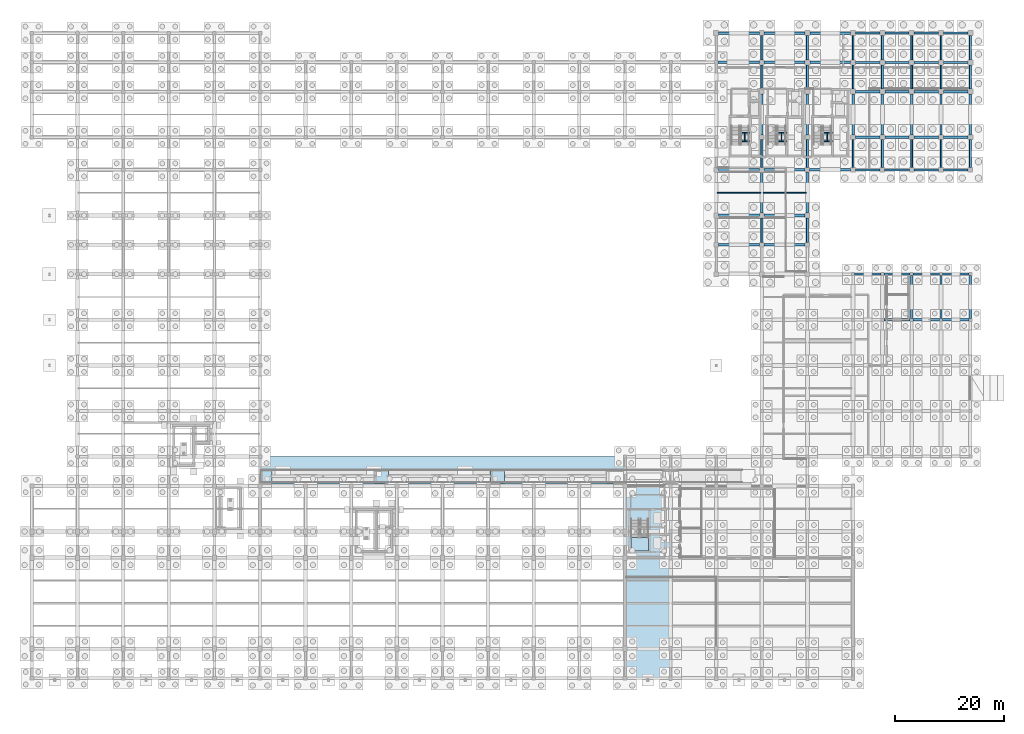
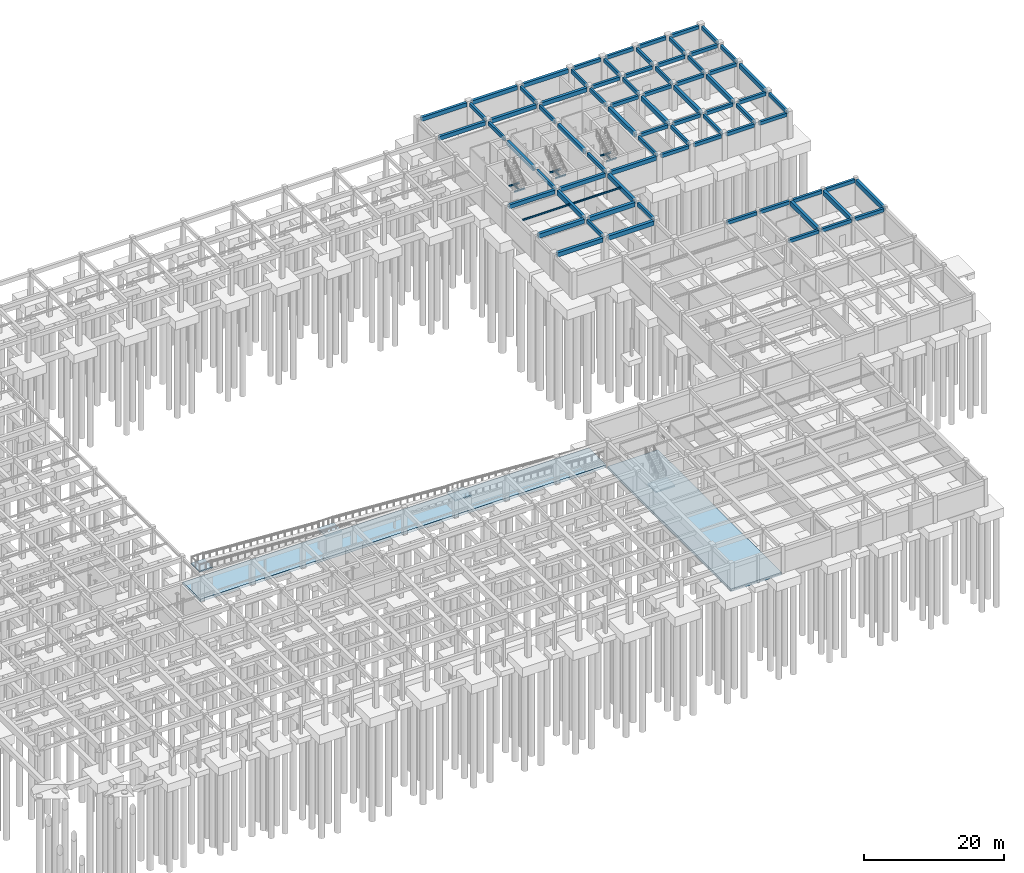
# One storey, part 31 of 49: 86 beams, 6 slabs, 1 element without a shape of its own.
"""IFC4 building model written with IfcOpenShell, lengths in metres."""

from ifc_helpers import new_model, si_unit, direction, frame, origin, origin_2d, place, context, subcontext, project, spatial, polyline, rectangle, i_section, outline, extrude, material, layer, layer_set, material_profile, profile_set, type_object, element, aggregate, save


model = new_model("IFC4")

# Units and contexts
model_context = context("Model", 3, precision=1e-05, world=origin(), true_north=direction((0.0, 1.0)))
body_context = subcontext(model_context, "Body", "Model", "MODEL_VIEW")
ifc_project = project(units=[si_unit("LENGTHUNIT", "METRE"), si_unit("AREAUNIT", "SQUARE_METRE"), si_unit("VOLUMEUNIT", "CUBIC_METRE"), si_unit("PLANEANGLEUNIT", "RADIAN"), si_unit("MASSUNIT", "GRAM", prefix="KILO")], contexts=[model_context])

# Site, building, storey
site_placement = place(None, origin())
site = spatial("IfcSite", under=ifc_project, at=site_placement, CompositionType="ELEMENT")
building_placement = place(site_placement, origin())
building = spatial("IfcBuilding", under=site, at=building_placement, Name="Krzemoval Escarpment Law Courts", CompositionType="ELEMENT")
storey_placement = place(building_placement, frame((0.0, 0.0, -4.800048828125)))
storey = spatial("IfcBuildingStorey", under=building, at=storey_placement, Name="B1", CompositionType="ELEMENT", Elevation=-4.800048828125)

# Beams
ifc_material_1 = material(Name="Concrete C40/50", Category="concrete")
ifc_material_profile_1 = material_profile(ifc_material_1, rectangle(XDim=0.35009765625, YDim=0.64990234375, at=origin_2d()), Name="RCB 350x650")
ifc_profile_set_1 = profile_set([ifc_material_profile_1], Name="Concrete C40/50")
beam_type_1 = type_object("IfcBeamType", Name="BM-RC-350x650", PredefinedType="BEAM", material=ifc_profile_set_1)
beam_1_placement = place(storey_placement, frame((134.39990234375, 80.22509765625, 4.175048828125), z_axis=(0.0, 1.0, 0.0), x_axis=(-1.0, 0.0, 0.0)))
element("IfcBeam", 1, at=beam_1_placement, inside=storey, type_object=beam_type_1, Name="Beam FG-B1-0404", PredefinedType="BEAM", context=body_context, shape_type="SweptSolid", body=[
    extrude(rectangle(XDim=0.35009765625, YDim=0.64990234375, at=origin_2d()), origin(), (0.0, 0.0, 1.0), 4.5498046875),
])
beam_2_placement = place(storey_placement, frame((134.39990234375, 94.02490234375, 4.175048828125), z_axis=(0.0, 1.0, 0.0), x_axis=(-1.0, 0.0, 0.0)))
element("IfcBeam", 2, at=beam_2_placement, inside=storey, type_object=beam_type_1, Name="Beam FG-B1-0406", PredefinedType="BEAM", context=body_context, shape_type="SweptSolid", body=[
    extrude(rectangle(XDim=0.35009765625, YDim=0.64990234375, at=origin_2d()), origin(), (0.0, 0.0, 1.0), 5.125),
])
for number, where, z_axis, x_axis, name in (
    (3, (134.39990234375, 108.449951171875, 4.175048828125), (0.0, 1.0, 0.0), (-1.0, 0.0, 0.0), "Beam FG-B1-0408"),
    (4, (134.39990234375, 113.85009765625, 4.175048828125), (0.0, 1.0, 0.0), (-1.0, 0.0, 0.0), "Beam FG-B1-0409"),
):
    element("IfcBeam", number, at=place(storey_placement, frame(where, z_axis=z_axis, x_axis=x_axis)), inside=storey, type_object=beam_type_1, Name=name, PredefinedType="BEAM", context=body_context, shape_type="SweptSolid", body=[
        extrude(rectangle(XDim=0.35009765625, YDim=0.64990234375, at=origin_2d()), origin(), (0.0, 0.0, 1.0), 4.5),
    ])
beam_3_placement = place(storey_placement, frame((142.800048828125, 80.22509765625, 4.175048828125), z_axis=(0.0, 1.0, 0.0), x_axis=(-1.0, 0.0, 0.0)))
element("IfcBeam", 5, at=beam_3_placement, inside=storey, type_object=beam_type_1, Name="Beam FG-B1-0420", PredefinedType="BEAM", context=body_context, shape_type="SweptSolid", body=[
    extrude(rectangle(XDim=0.35009765625, YDim=0.64990234375, at=origin_2d()), origin(), (0.0, 0.0, 1.0), 4.5498046875),
])
beam_4_placement = place(storey_placement, frame((142.800048828125, 94.02490234375, 4.175048828125), z_axis=(0.0, 1.0, 0.0), x_axis=(-1.0, 0.0, 0.0)))
element("IfcBeam", 6, at=beam_4_placement, inside=storey, type_object=beam_type_1, Name="Beam FG-B1-0422", PredefinedType="BEAM", context=body_context, shape_type="SweptSolid", body=[
    extrude(rectangle(XDim=0.35009765625, YDim=0.64990234375, at=origin_2d()), origin(), (0.0, 0.0, 1.0), 5.125),
])
for number, where, z_axis, x_axis, name in (
    (7, (142.800048828125, 108.449951171875, 4.175048828125), (0.0, 1.0, 0.0), (-1.0, 0.0, 0.0), "Beam FG-B1-0424"),
    (8, (142.800048828125, 113.85009765625, 4.175048828125), (0.0, 1.0, 0.0), (-1.0, 0.0, 0.0), "Beam FG-B1-0425"),
):
    element("IfcBeam", number, at=place(storey_placement, frame(where, z_axis=z_axis, x_axis=x_axis)), inside=storey, type_object=beam_type_1, Name=name, PredefinedType="BEAM", context=body_context, shape_type="SweptSolid", body=[
        extrude(rectangle(XDim=0.35009765625, YDim=0.64990234375, at=origin_2d()), origin(), (0.0, 0.0, 1.0), 4.5),
    ])
beam_5_placement = place(storey_placement, frame((151.199951171875, 94.02490234375, 4.175048828125), z_axis=(0.0, 1.0, 0.0), x_axis=(-1.0, 0.0, 0.0)))
element("IfcBeam", 9, at=beam_5_placement, inside=storey, type_object=beam_type_1, Name="Beam FG-B1-0434", PredefinedType="BEAM", context=body_context, shape_type="SweptSolid", body=[
    extrude(rectangle(XDim=0.35009765625, YDim=0.64990234375, at=origin_2d()), origin(), (0.0, 0.0, 1.0), 5.125),
])
for number, where, z_axis, x_axis, name in (
    (10, (151.199951171875, 108.449951171875, 4.175048828125), (0.0, 1.0, 0.0), (-1.0, 0.0, 0.0), "Beam FG-B1-0436"),
    (11, (151.199951171875, 113.85009765625, 4.175048828125), (0.0, 1.0, 0.0), (-1.0, 0.0, 0.0), "Beam FG-B1-0437"),
):
    element("IfcBeam", number, at=place(storey_placement, frame(where, z_axis=z_axis, x_axis=x_axis)), inside=storey, type_object=beam_type_1, Name=name, PredefinedType="BEAM", context=body_context, shape_type="SweptSolid", body=[
        extrude(rectangle(XDim=0.35009765625, YDim=0.64990234375, at=origin_2d()), origin(), (0.0, 0.0, 1.0), 4.5),
    ])
beam_6_placement = place(storey_placement, frame((156.60009765625, 94.02490234375, 4.175048828125), z_axis=(0.0, 1.0, 0.0), x_axis=(-1.0, 0.0, 0.0)))
element("IfcBeam", 12, at=beam_6_placement, inside=storey, type_object=beam_type_1, Name="Beam FG-B1-0442", PredefinedType="BEAM", context=body_context, shape_type="SweptSolid", body=[
    extrude(rectangle(XDim=0.35009765625, YDim=0.64990234375, at=origin_2d()), origin(), (0.0, 0.0, 1.0), 5.125),
])
for number, where, z_axis, x_axis, name in (
    (13, (156.60009765625, 108.449951171875, 4.175048828125), (0.0, 1.0, 0.0), (-1.0, 0.0, 0.0), "Beam FG-B1-0444"),
    (14, (156.60009765625, 113.85009765625, 4.175048828125), (0.0, 1.0, 0.0), (-1.0, 0.0, 0.0), "Beam FG-B1-0445"),
):
    element("IfcBeam", number, at=place(storey_placement, frame(where, z_axis=z_axis, x_axis=x_axis)), inside=storey, type_object=beam_type_1, Name=name, PredefinedType="BEAM", context=body_context, shape_type="SweptSolid", body=[
        extrude(rectangle(XDim=0.35009765625, YDim=0.64990234375, at=origin_2d()), origin(), (0.0, 0.0, 1.0), 4.5),
    ])
beam_7_placement = place(storey_placement, frame((162.0, 94.02490234375, 4.175048828125), z_axis=(0.0, 1.0, 0.0), x_axis=(-1.0, 0.0, 0.0)))
element("IfcBeam", 15, at=beam_7_placement, inside=storey, type_object=beam_type_1, Name="Beam FG-B1-0450", PredefinedType="BEAM", context=body_context, shape_type="SweptSolid", body=[
    extrude(rectangle(XDim=0.35009765625, YDim=0.64990234375, at=origin_2d()), origin(), (0.0, 0.0, 1.0), 5.125),
])
for number, where, z_axis, x_axis, name in (
    (16, (162.0, 108.449951171875, 4.175048828125), (0.0, 1.0, 0.0), (-1.0, 0.0, 0.0), "Beam FG-B1-0452"),
    (17, (162.0, 113.85009765625, 4.175048828125), (0.0, 1.0, 0.0), (-1.0, 0.0, 0.0), "Beam FG-B1-0453"),
):
    element("IfcBeam", number, at=place(storey_placement, frame(where, z_axis=z_axis, x_axis=x_axis)), inside=storey, type_object=beam_type_1, Name=name, PredefinedType="BEAM", context=body_context, shape_type="SweptSolid", body=[
        extrude(rectangle(XDim=0.35009765625, YDim=0.64990234375, at=origin_2d()), origin(), (0.0, 0.0, 1.0), 4.5),
    ])
beam_8_placement = place(storey_placement, frame((167.39990234375, 94.02490234375, 4.175048828125), z_axis=(0.0, 1.0, 0.0), x_axis=(-1.0, 0.0, 0.0)))
element("IfcBeam", 18, at=beam_8_placement, inside=storey, type_object=beam_type_1, Name="Beam FG-B1-0458", PredefinedType="BEAM", context=body_context, shape_type="SweptSolid", body=[
    extrude(rectangle(XDim=0.35009765625, YDim=0.64990234375, at=origin_2d()), origin(), (0.0, 0.0, 1.0), 5.125),
])
for number, where, z_axis, x_axis, name in (
    (19, (167.39990234375, 108.449951171875, 4.175048828125), (0.0, 1.0, 0.0), (-1.0, 0.0, 0.0), "Beam FG-B1-0460"),
    (20, (167.39990234375, 113.85009765625, 4.175048828125), (0.0, 1.0, 0.0), (-1.0, 0.0, 0.0), "Beam FG-B1-0461"),
):
    element("IfcBeam", number, at=place(storey_placement, frame(where, z_axis=z_axis, x_axis=x_axis)), inside=storey, type_object=beam_type_1, Name=name, PredefinedType="BEAM", context=body_context, shape_type="SweptSolid", body=[
        extrude(rectangle(XDim=0.35009765625, YDim=0.64990234375, at=origin_2d()), origin(), (0.0, 0.0, 1.0), 4.5),
    ])
beam_9_placement = place(storey_placement, frame((172.800048828125, 94.02490234375, 4.175048828125), z_axis=(0.0, 1.0, 0.0), x_axis=(-1.0, 0.0, 0.0)))
element("IfcBeam", 21, at=beam_9_placement, inside=storey, type_object=beam_type_1, Name="Beam FG-B1-0466", PredefinedType="BEAM", context=body_context, shape_type="SweptSolid", body=[
    extrude(rectangle(XDim=0.35009765625, YDim=0.64990234375, at=origin_2d()), origin(), (0.0, 0.0, 1.0), 5.125),
])
for number, where, z_axis, x_axis, name in (
    (22, (172.800048828125, 108.449951171875, 4.175048828125), (0.0, 1.0, 0.0), (-1.0, 0.0, 0.0), "Beam FG-B1-0468"),
    (23, (172.800048828125, 113.85009765625, 4.175048828125), (0.0, 1.0, 0.0), (-1.0, 0.0, 0.0), "Beam FG-B1-0469"),
):
    element("IfcBeam", number, at=place(storey_placement, frame(where, z_axis=z_axis, x_axis=x_axis)), inside=storey, type_object=beam_type_1, Name=name, PredefinedType="BEAM", context=body_context, shape_type="SweptSolid", body=[
        extrude(rectangle(XDim=0.35009765625, YDim=0.64990234375, at=origin_2d()), origin(), (0.0, 0.0, 1.0), 4.5),
    ])
ifc_material_2 = material(Name="Concrete C40/50", Category="concrete")
ifc_material_profile_2 = material_profile(ifc_material_2, rectangle(XDim=0.39990234375, YDim=0.60009765625, at=origin_2d()), Name="RCB 400x600")
ifc_profile_set_2 = profile_set([ifc_material_profile_2], Name="Concrete C40/50")
beam_type_2 = type_object("IfcBeamType", Name="BM-RC-400x600", PredefinedType="BEAM", material=ifc_profile_set_2)
for number, where, z_axis, x_axis, name in (
    (24, (156.875, 66.0, 4.199951171875), (1.0, 0.0, 0.0), (0.0, 1.0, 0.0), "Beam FG-B1-0130"),
    (25, (162.27490234375, 66.0, 4.199951171875), (1.0, 0.0, 0.0), (0.0, 1.0, 0.0), "Beam FG-B1-0131"),
):
    element("IfcBeam", number, at=place(storey_placement, frame(where, z_axis=z_axis, x_axis=x_axis)), inside=storey, type_object=beam_type_2, Name=name, PredefinedType="BEAM", context=body_context, shape_type="SweptSolid", body=[
        extrude(rectangle(XDim=0.39990234375, YDim=0.60009765625, at=origin_2d()), origin(), (0.0, 0.0, 1.0), 4.85009765625),
    ])
for number, where, z_axis, x_axis, name in (
    (26, (167.675048828125, 66.0, 4.199951171875), (1.0, 0.0, 0.0), (0.0, 1.0, 0.0), "Beam FG-B1-0132"),
    (27, (151.47509765625, 74.39990234375, 4.199951171875), (1.0, 0.0, 0.0), (0.0, 1.0, 0.0), "Beam FG-B1-0140"),
):
    element("IfcBeam", number, at=place(storey_placement, frame(where, z_axis=z_axis, x_axis=x_axis)), inside=storey, type_object=beam_type_2, Name=name, PredefinedType="BEAM", context=body_context, shape_type="SweptSolid", body=[
        extrude(rectangle(XDim=0.39990234375, YDim=0.60009765625, at=origin_2d()), origin(), (0.0, 0.0, 1.0), 4.849853515625),
    ])
for number, where, z_axis, x_axis, name in (
    (28, (156.875, 74.39990234375, 4.199951171875), (1.0, 0.0, 0.0), (0.0, 1.0, 0.0), "Beam FG-B1-0141"),
    (29, (162.27490234375, 74.39990234375, 4.199951171875), (1.0, 0.0, 0.0), (0.0, 1.0, 0.0), "Beam FG-B1-0142"),
):
    element("IfcBeam", number, at=place(storey_placement, frame(where, z_axis=z_axis, x_axis=x_axis)), inside=storey, type_object=beam_type_2, Name=name, PredefinedType="BEAM", context=body_context, shape_type="SweptSolid", body=[
        extrude(rectangle(XDim=0.39990234375, YDim=0.60009765625, at=origin_2d()), origin(), (0.0, 0.0, 1.0), 4.85009765625),
    ])
beam_10_placement = place(storey_placement, frame((167.675048828125, 74.39990234375, 4.199951171875), z_axis=(1.0, 0.0, 0.0), x_axis=(0.0, 1.0, 0.0)))
element("IfcBeam", 30, at=beam_10_placement, inside=storey, type_object=beam_type_2, Name="Beam FG-B1-0143", PredefinedType="BEAM", context=body_context, shape_type="SweptSolid", body=[
    extrude(rectangle(XDim=0.39990234375, YDim=0.60009765625, at=origin_2d()), origin(), (0.0, 0.0, 1.0), 4.849853515625),
])
for number, where, z_axis, x_axis, name in (
    (31, (151.625, 93.60009765625, 4.199951171875), (1.0, 0.0, 0.0), (0.0, 1.0, 0.0), "Beam FG-B1-0163"),
    (32, (157.02490234375, 93.60009765625, 4.199951171875), (1.0, 0.0, 0.0), (0.0, 1.0, 0.0), "Beam FG-B1-0164"),
    (33, (162.425048828125, 93.60009765625, 4.199951171875), (1.0, 0.0, 0.0), (0.0, 1.0, 0.0), "Beam FG-B1-0165"),
    (34, (167.824951171875, 93.60009765625, 4.199951171875), (1.0, 0.0, 0.0), (0.0, 1.0, 0.0), "Beam FG-B1-0166"),
):
    element("IfcBeam", number, at=place(storey_placement, frame(where, z_axis=z_axis, x_axis=x_axis)), inside=storey, type_object=beam_type_2, Name=name, PredefinedType="BEAM", context=body_context, shape_type="SweptSolid", body=[
        extrude(rectangle(XDim=0.39990234375, YDim=0.60009765625, at=origin_2d()), origin(), (0.0, 0.0, 1.0), 4.550048828125),
    ])
for number, where, z_axis, x_axis, name in (
    (35, (151.64990234375, 99.60009765625, 4.199951171875), (1.0, 0.0, 0.0), (0.0, 1.0, 0.0), "Beam FG-B1-0182"),
    (36, (157.050048828125, 99.60009765625, 4.199951171875), (1.0, 0.0, 0.0), (0.0, 1.0, 0.0), "Beam FG-B1-0183"),
    (37, (162.449951171875, 99.60009765625, 4.199951171875), (1.0, 0.0, 0.0), (0.0, 1.0, 0.0), "Beam FG-B1-0184"),
    (38, (167.85009765625, 99.60009765625, 4.199951171875), (1.0, 0.0, 0.0), (0.0, 1.0, 0.0), "Beam FG-B1-0185"),
    (39, (151.64990234375, 108.0, 4.199951171875), (1.0, 0.0, 0.0), (0.0, 1.0, 0.0), "Beam FG-B1-0201"),
    (40, (157.050048828125, 108.0, 4.199951171875), (1.0, 0.0, 0.0), (0.0, 1.0, 0.0), "Beam FG-B1-0202"),
    (41, (162.449951171875, 108.0, 4.199951171875), (1.0, 0.0, 0.0), (0.0, 1.0, 0.0), "Beam FG-B1-0203"),
    (42, (167.85009765625, 108.0, 4.199951171875), (1.0, 0.0, 0.0), (0.0, 1.0, 0.0), "Beam FG-B1-0204"),
    (43, (151.64990234375, 113.39990234375, 4.199951171875), (1.0, 0.0, 0.0), (0.0, 1.0, 0.0), "Beam FG-B1-0223"),
    (44, (157.050048828125, 113.39990234375, 4.199951171875), (1.0, 0.0, 0.0), (0.0, 1.0, 0.0), "Beam FG-B1-0224"),
    (45, (162.449951171875, 113.39990234375, 4.199951171875), (1.0, 0.0, 0.0), (0.0, 1.0, 0.0), "Beam FG-B1-0225"),
    (46, (167.85009765625, 113.39990234375, 4.199951171875), (1.0, 0.0, 0.0), (0.0, 1.0, 0.0), "Beam FG-B1-0226"),
    (47, (151.64990234375, 118.800048828125, 4.199951171875), (1.0, 0.0, 0.0), (0.0, 1.0, 0.0), "Beam FG-B1-0235"),
    (48, (157.050048828125, 118.800048828125, 4.199951171875), (1.0, 0.0, 0.0), (0.0, 1.0, 0.0), "Beam FG-B1-0236"),
    (49, (162.449951171875, 118.800048828125, 4.199951171875), (1.0, 0.0, 0.0), (0.0, 1.0, 0.0), "Beam FG-B1-0237"),
    (50, (167.85009765625, 118.800048828125, 4.199951171875), (1.0, 0.0, 0.0), (0.0, 1.0, 0.0), "Beam FG-B1-0238"),
):
    element("IfcBeam", number, at=place(storey_placement, frame(where, z_axis=z_axis, x_axis=x_axis)), inside=storey, type_object=beam_type_2, Name=name, PredefinedType="BEAM", context=body_context, shape_type="SweptSolid", body=[
        extrude(rectangle(XDim=0.39990234375, YDim=0.60009765625, at=origin_2d()), origin(), (0.0, 0.0, 1.0), 4.5),
    ])
ifc_material_3 = material(Name="Concrete C40/50", Category="concrete")
ifc_material_profile_3 = material_profile(ifc_material_3, rectangle(XDim=0.449951171875, YDim=0.699951171875, at=origin_2d()), Name="RCB 450x700")
ifc_profile_set_3 = profile_set([ifc_material_profile_3], Name="Concrete C40/50")
beam_type_3 = type_object("IfcBeamType", Name="BM-RC-450x700", PredefinedType="BEAM", material=ifc_profile_set_3)
for number, where, z_axis, x_axis, name in (
    (51, (126.425048828125, 93.60009765625, 4.150146484375), (1.0, 0.0, 0.0), (0.0, 1.0, 0.0), "Beam FG-B1-0160"),
    (52, (134.824951171875, 93.60009765625, 4.150146484375), (1.0, 0.0, 0.0), (0.0, 1.0, 0.0), "Beam FG-B1-0161"),
):
    element("IfcBeam", number, at=place(storey_placement, frame(where, z_axis=z_axis, x_axis=x_axis)), inside=storey, type_object=beam_type_3, Name=name, PredefinedType="BEAM", context=body_context, shape_type="SweptSolid", body=[
        extrude(rectangle(XDim=0.449951171875, YDim=0.699951171875, at=origin_2d()), origin(), (0.0, 0.0, 1.0), 7.550048828125),
    ])
beam_11_placement = place(storey_placement, frame((143.22509765625, 93.60009765625, 4.150146484375), z_axis=(1.0, 0.0, 0.0), x_axis=(0.0, 1.0, 0.0)))
element("IfcBeam", 53, at=beam_11_placement, inside=storey, type_object=beam_type_3, Name="Beam FG-B1-0162", PredefinedType="BEAM", context=body_context, shape_type="SweptSolid", body=[
    extrude(rectangle(XDim=0.449951171875, YDim=0.699951171875, at=origin_2d()), origin(), (0.0, 0.0, 1.0), 7.5498046875),
])
beam_12_placement = place(storey_placement, frame((126.324951171875, 113.39990234375, 4.150146484375), z_axis=(1.0, 0.0, 0.0), x_axis=(0.0, 1.0, 0.0)))
element("IfcBeam", 54, at=beam_12_placement, inside=storey, type_object=beam_type_3, Name="Beam FG-B1-0220", PredefinedType="BEAM", context=body_context, shape_type="SweptSolid", body=[
    extrude(rectangle(XDim=0.449951171875, YDim=0.699951171875, at=origin_2d()), origin(), (0.0, 0.0, 1.0), 7.625),
])
for number, where, z_axis, x_axis, name in (
    (55, (134.85009765625, 113.39990234375, 4.150146484375), (1.0, 0.0, 0.0), (0.0, 1.0, 0.0), "Beam FG-B1-0221"),
    (56, (143.25, 113.39990234375, 4.150146484375), (1.0, 0.0, 0.0), (0.0, 1.0, 0.0), "Beam FG-B1-0222"),
    (57, (126.449951171875, 118.800048828125, 4.150146484375), (1.0, 0.0, 0.0), (0.0, 1.0, 0.0), "Beam FG-B1-0232"),
    (58, (134.85009765625, 118.800048828125, 4.150146484375), (1.0, 0.0, 0.0), (0.0, 1.0, 0.0), "Beam FG-B1-0233"),
    (59, (143.25, 118.800048828125, 4.150146484375), (1.0, 0.0, 0.0), (0.0, 1.0, 0.0), "Beam FG-B1-0234"),
):
    element("IfcBeam", number, at=place(storey_placement, frame(where, z_axis=z_axis, x_axis=x_axis)), inside=storey, type_object=beam_type_3, Name=name, PredefinedType="BEAM", context=body_context, shape_type="SweptSolid", body=[
        extrude(rectangle(XDim=0.449951171875, YDim=0.699951171875, at=origin_2d()), origin(), (0.0, 0.0, 1.0), 7.5),
    ])
ifc_material_4 = material(Name="Concrete C40/50", Category="concrete")
ifc_material_profile_4 = material_profile(ifc_material_4, rectangle(XDim=0.449951171875, YDim=0.800048828125, at=origin_2d()), Name="RCB 450x800")
ifc_profile_set_4 = profile_set([ifc_material_profile_4], Name="Concrete C40/50")
beam_type_4 = type_object("IfcBeamType", Name="BM-RC-450x800", PredefinedType="BEAM", material=ifc_profile_set_4)
beam_13_placement = place(storey_placement, frame((134.39990234375, 85.625, 4.10009765625), z_axis=(0.0, 1.0, 0.0), x_axis=(-1.0, 0.0, 0.0)))
element("IfcBeam", 60, at=beam_13_placement, inside=storey, type_object=beam_type_4, Name="Beam FG-B1-0405", PredefinedType="BEAM", context=body_context, shape_type="SweptSolid", body=[
    extrude(rectangle(XDim=0.449951171875, YDim=0.800048828125, at=origin_2d()), origin(), (0.0, 0.0, 1.0), 7.550048828125),
])
beam_14_placement = place(storey_placement, frame((134.39990234375, 100.050048828125, 4.10009765625), z_axis=(0.0, 1.0, 0.0), x_axis=(-1.0, 0.0, 0.0)))
element("IfcBeam", 61, at=beam_14_placement, inside=storey, type_object=beam_type_4, Name="Beam FG-B1-0407", PredefinedType="BEAM", context=body_context, shape_type="SweptSolid", body=[
    extrude(rectangle(XDim=0.449951171875, YDim=0.800048828125, at=origin_2d()), origin(), (0.0, 0.0, 1.0), 7.5),
])
beam_15_placement = place(storey_placement, frame((142.800048828125, 85.625, 4.10009765625), z_axis=(0.0, 1.0, 0.0), x_axis=(-1.0, 0.0, 0.0)))
element("IfcBeam", 62, at=beam_15_placement, inside=storey, type_object=beam_type_4, Name="Beam FG-B1-0421", PredefinedType="BEAM", context=body_context, shape_type="SweptSolid", body=[
    extrude(rectangle(XDim=0.449951171875, YDim=0.800048828125, at=origin_2d()), origin(), (0.0, 0.0, 1.0), 7.550048828125),
])
for number, where, z_axis, x_axis, name in (
    (63, (142.800048828125, 100.050048828125, 4.10009765625), (0.0, 1.0, 0.0), (-1.0, 0.0, 0.0), "Beam FG-B1-0423"),
    (64, (151.199951171875, 100.050048828125, 4.10009765625), (0.0, 1.0, 0.0), (-1.0, 0.0, 0.0), "Beam FG-B1-0435"),
    (65, (156.60009765625, 100.050048828125, 4.10009765625), (0.0, 1.0, 0.0), (-1.0, 0.0, 0.0), "Beam FG-B1-0443"),
):
    element("IfcBeam", number, at=place(storey_placement, frame(where, z_axis=z_axis, x_axis=x_axis)), inside=storey, type_object=beam_type_4, Name=name, PredefinedType="BEAM", context=body_context, shape_type="SweptSolid", body=[
        extrude(rectangle(XDim=0.449951171875, YDim=0.800048828125, at=origin_2d()), origin(), (0.0, 0.0, 1.0), 7.5),
    ])
beam_16_placement = place(storey_placement, frame((162.0, 66.27490234375, 4.10009765625), z_axis=(0.0, 1.0, 0.0), x_axis=(-1.0, 0.0, 0.0)))
element("IfcBeam", 66, at=beam_16_placement, inside=storey, type_object=beam_type_4, Name="Beam FG-B1-0449", PredefinedType="BEAM", context=body_context, shape_type="SweptSolid", body=[
    extrude(rectangle(XDim=0.449951171875, YDim=0.800048828125, at=origin_2d()), origin(), (0.0, 0.0, 1.0), 7.85009765625),
])
beam_17_placement = place(storey_placement, frame((162.0, 100.050048828125, 4.10009765625), z_axis=(0.0, 1.0, 0.0), x_axis=(-1.0, 0.0, 0.0)))
element("IfcBeam", 67, at=beam_17_placement, inside=storey, type_object=beam_type_4, Name="Beam FG-B1-0451", PredefinedType="BEAM", context=body_context, shape_type="SweptSolid", body=[
    extrude(rectangle(XDim=0.449951171875, YDim=0.800048828125, at=origin_2d()), origin(), (0.0, 0.0, 1.0), 7.5),
])
beam_18_placement = place(storey_placement, frame((167.39990234375, 66.27490234375, 4.10009765625), z_axis=(0.0, 1.0, 0.0), x_axis=(-1.0, 0.0, 0.0)))
element("IfcBeam", 68, at=beam_18_placement, inside=storey, type_object=beam_type_4, Name="Beam FG-B1-0457", PredefinedType="BEAM", context=body_context, shape_type="SweptSolid", body=[
    extrude(rectangle(XDim=0.449951171875, YDim=0.800048828125, at=origin_2d()), origin(), (0.0, 0.0, 1.0), 7.85009765625),
])
beam_19_placement = place(storey_placement, frame((167.39990234375, 100.050048828125, 4.10009765625), z_axis=(0.0, 1.0, 0.0), x_axis=(-1.0, 0.0, 0.0)))
element("IfcBeam", 69, at=beam_19_placement, inside=storey, type_object=beam_type_4, Name="Beam FG-B1-0459", PredefinedType="BEAM", context=body_context, shape_type="SweptSolid", body=[
    extrude(rectangle(XDim=0.449951171875, YDim=0.800048828125, at=origin_2d()), origin(), (0.0, 0.0, 1.0), 7.5),
])
beam_20_placement = place(storey_placement, frame((172.800048828125, 66.27490234375, 4.10009765625), z_axis=(0.0, 1.0, 0.0), x_axis=(-1.0, 0.0, 0.0)))
element("IfcBeam", 70, at=beam_20_placement, inside=storey, type_object=beam_type_4, Name="Beam FG-B1-0465", PredefinedType="BEAM", context=body_context, shape_type="SweptSolid", body=[
    extrude(rectangle(XDim=0.449951171875, YDim=0.800048828125, at=origin_2d()), origin(), (0.0, 0.0, 1.0), 7.85009765625),
])
beam_21_placement = place(storey_placement, frame((172.800048828125, 100.050048828125, 4.10009765625), z_axis=(0.0, 1.0, 0.0), x_axis=(-1.0, 0.0, 0.0)))
element("IfcBeam", 71, at=beam_21_placement, inside=storey, type_object=beam_type_4, Name="Beam FG-B1-0467", PredefinedType="BEAM", context=body_context, shape_type="SweptSolid", body=[
    extrude(rectangle(XDim=0.449951171875, YDim=0.800048828125, at=origin_2d()), origin(), (0.0, 0.0, 1.0), 7.5),
])
ifc_material_5 = material(Name="Concrete C40/50", Category="concrete")
ifc_material_profile_5 = material_profile(ifc_material_5, rectangle(XDim=0.5, YDim=0.75, at=origin_2d()), Name="RCB 500x750")
ifc_profile_set_5 = profile_set([ifc_material_profile_5], Name="Concrete C40/50")
beam_type_5 = type_object("IfcBeamType", Name="BM-RC-500x750", PredefinedType="BEAM", material=ifc_profile_set_5)
for number, where, z_axis, x_axis, name in (
    (72, (126.425048828125, 79.800048828125, 4.125), (1.0, 0.0, 0.0), (0.0, 1.0, 0.0), "Beam FG-B1-0148"),
    (73, (134.824951171875, 79.800048828125, 4.125), (1.0, 0.0, 0.0), (0.0, 1.0, 0.0), "Beam FG-B1-0149"),
    (74, (126.425048828125, 85.199951171875, 4.125), (1.0, 0.0, 0.0), (0.0, 1.0, 0.0), "Beam FG-B1-0154"),
    (75, (134.824951171875, 85.199951171875, 4.125), (1.0, 0.0, 0.0), (0.0, 1.0, 0.0), "Beam FG-B1-0155"),
):
    element("IfcBeam", number, at=place(storey_placement, frame(where, z_axis=z_axis, x_axis=x_axis)), inside=storey, type_object=beam_type_5, Name=name, PredefinedType="BEAM", context=body_context, shape_type="SweptSolid", body=[
        extrude(rectangle(XDim=0.5, YDim=0.75, at=origin_2d()), origin(), (0.0, 0.0, 1.0), 7.550048828125),
    ])
ifc_material_6 = material(Name="Steel S355", Category="steel")
ifc_material_profile_6 = material_profile(ifc_material_6, i_section(OverallWidth=0.14990234375, OverallDepth=0.300048828125, WebThickness=0.007080078125, FlangeThickness=0.0107421875, at=origin_2d()), Name="IPE 300")
ifc_profile_set_6 = profile_set([ifc_material_profile_6], Name="Steel S355")
beam_type_6 = type_object("IfcBeamType", Name="JST-S355-IPE300", PredefinedType="JOIST", material=ifc_profile_set_6)
for number, where, z_axis, x_axis, name in (
    (76, (126.22509765625, 89.39990234375, 4.35009765625), (1.0, 0.0, 0.0), (0.0, 1.0, 0.0), "Secondary Joist FJ-B1-0569"),
    (77, (134.625, 89.39990234375, 4.35009765625), (1.0, 0.0, 0.0), (0.0, 1.0, 0.0), "Secondary Joist FJ-B1-0578"),
):
    element("IfcBeam", number, at=place(storey_placement, frame(where, z_axis=z_axis, x_axis=x_axis)), inside=storey, type_object=beam_type_6, Name=name, PredefinedType="JOIST", context=body_context, shape_type="SweptSolid", body=[
        extrude(i_section(OverallWidth=0.14990234375, OverallDepth=0.300048828125, WebThickness=0.007080078125, FlangeThickness=0.0107421875, at=origin_2d()), origin(), (0.0, 0.0, 1.0), 7.949951171875),
    ])
for number, where, z_axis, x_axis, name in (
    (78, (130.39990234375, 98.860107421875, 2.1201171875), (1.0, 0.0, 0.0), (0.0, 1.0, 0.0), "Stair Well Crosshead SLHW-C1-B1-1"),
    (79, (130.39990234375, 100.4599609375, 2.1201171875), (1.0, 0.0, 0.0), (0.0, 1.0, 0.0), "Stair Well Crosshead SLHW-C1-B1-2"),
):
    element("IfcBeam", number, at=place(storey_placement, frame(where, z_axis=z_axis, x_axis=x_axis)), inside=storey, type_object=beam_type_6, Name=name, PredefinedType="JOIST", context=body_context, shape_type="SweptSolid", body=[
        extrude(i_section(OverallWidth=0.14990234375, OverallDepth=0.300048828125, WebThickness=0.007080078125, FlangeThickness=0.0107421875, at=origin_2d()), origin(), (0.0, 0.0, 1.0), 1.81005859375),
    ])
beam_22_placement = place(storey_placement, frame((131.27490234375, 98.860107421875, 2.1201171875), z_axis=(0.0, 1.0, 0.0), x_axis=(-1.0, 0.0, 0.0)))
element("IfcBeam", 80, at=beam_22_placement, inside=storey, type_object=beam_type_6, Name="Stair Flight Support Stringer SLTW-C1-B1", PredefinedType="JOIST", context=body_context, shape_type="SweptSolid", body=[
    extrude(i_section(OverallWidth=0.14990234375, OverallDepth=0.300048828125, WebThickness=0.007080078125, FlangeThickness=0.0107421875, at=origin_2d()), origin(), (0.0, 0.0, 1.0), 1.599853515625),
])
for number, where, z_axis, x_axis, name in (
    (81, (137.14990234375, 98.860107421875, 2.1201171875), (1.0, 0.0, 0.0), (0.0, 1.0, 0.0), "Stair Well Crosshead SLHW-C2-B1-1"),
    (82, (137.14990234375, 100.4599609375, 2.1201171875), (1.0, 0.0, 0.0), (0.0, 1.0, 0.0), "Stair Well Crosshead SLHW-C2-B1-2"),
):
    element("IfcBeam", number, at=place(storey_placement, frame(where, z_axis=z_axis, x_axis=x_axis)), inside=storey, type_object=beam_type_6, Name=name, PredefinedType="JOIST", context=body_context, shape_type="SweptSolid", body=[
        extrude(i_section(OverallWidth=0.14990234375, OverallDepth=0.300048828125, WebThickness=0.007080078125, FlangeThickness=0.0107421875, at=origin_2d()), origin(), (0.0, 0.0, 1.0), 1.81005859375),
    ])
beam_23_placement = place(storey_placement, frame((138.02490234375, 98.860107421875, 2.1201171875), z_axis=(0.0, 1.0, 0.0), x_axis=(-1.0, 0.0, 0.0)))
element("IfcBeam", 83, at=beam_23_placement, inside=storey, type_object=beam_type_6, Name="Stair Flight Support Stringer SLTW-C2-B1", PredefinedType="JOIST", context=body_context, shape_type="SweptSolid", body=[
    extrude(i_section(OverallWidth=0.14990234375, OverallDepth=0.300048828125, WebThickness=0.007080078125, FlangeThickness=0.0107421875, at=origin_2d()), origin(), (0.0, 0.0, 1.0), 1.599853515625),
])
for number, where, z_axis, x_axis, name in (
    (84, (145.550048828125, 98.860107421875, 2.1201171875), (1.0, 0.0, 0.0), (0.0, 1.0, 0.0), "Stair Well Crosshead SLHW-C3-B1-1"),
    (85, (145.550048828125, 100.4599609375, 2.1201171875), (1.0, 0.0, 0.0), (0.0, 1.0, 0.0), "Stair Well Crosshead SLHW-C3-B1-2"),
):
    element("IfcBeam", number, at=place(storey_placement, frame(where, z_axis=z_axis, x_axis=x_axis)), inside=storey, type_object=beam_type_6, Name=name, PredefinedType="JOIST", context=body_context, shape_type="SweptSolid", body=[
        extrude(i_section(OverallWidth=0.14990234375, OverallDepth=0.300048828125, WebThickness=0.007080078125, FlangeThickness=0.0107421875, at=origin_2d()), origin(), (0.0, 0.0, 1.0), 1.81005859375),
    ])
beam_24_placement = place(storey_placement, frame((146.425048828125, 98.860107421875, 2.1201171875), z_axis=(0.0, 1.0, 0.0), x_axis=(-1.0, 0.0, 0.0)))
element("IfcBeam", 86, at=beam_24_placement, inside=storey, type_object=beam_type_6, Name="Stair Flight Support Stringer SLTW-C3-B1", PredefinedType="JOIST", context=body_context, shape_type="SweptSolid", body=[
    extrude(i_section(OverallWidth=0.14990234375, OverallDepth=0.300048828125, WebThickness=0.007080078125, FlangeThickness=0.0107421875, at=origin_2d()), origin(), (0.0, 0.0, 1.0), 1.599853515625),
])

# Slabs
ifc_material_7 = material(Name="Concrete C35/45", Category="concrete")
ifc_layer_1 = layer(ifc_material_7, 0.449951171875)
ifc_layer_set_1 = layer_set([ifc_layer_1], Name="Concrete C35/45")
slab_type_1 = type_object("IfcSlabType", Name="SL-BASE-450", PredefinedType="BASESLAB", material=ifc_layer_set_1)
slab_1_placement = place(storey_placement, frame((0.0, 0.0, -0.449951171875)))
element("IfcSlab", 87, at=slab_1_placement, inside=storey, type_object=slab_type_1, Name="Floor Slab SL-B1-V3-001", PredefinedType="BASESLAB", context=body_context, shape_type="SweptSolid", body=[
    extrude(outline(polyline([(109.199951171875, 0.0), (109.199951171875, 35.39990234375), (117.56005859375, 35.39990234375), (117.56005859375, 0.0), (109.199951171875, 0.0)])), origin(), (0.0, 0.0, 1.0), 0.449951171875),
])
slab_2_placement = place(storey_placement, frame((0.0, 0.0, -0.449951171875)))
element("IfcSlab", 88, at=slab_2_placement, inside=storey, type_object=slab_type_1, Name="Escarpment Ramp Base Slab SL-RMP-BASE", PredefinedType="BASESLAB", context=body_context, shape_type="SweptSolid", body=[
    extrude(outline(polyline([(109.199951171875, 35.800048828125), (109.199951171875, 40.800048828125), (42.0400390625, 40.800048828125), (42.0400390625, 35.800048828125), (109.199951171875, 35.800048828125)])), origin(), (0.0, 0.0, 1.0), 0.449951171875),
])
ifc_material_8 = material(Name="Concrete C40/50", Category="concrete")
ifc_layer_2 = layer(ifc_material_8, 0.199951171875)
ifc_layer_set_2 = layer_set([ifc_layer_2], Name="Concrete C40/50")
slab_type_2 = type_object("IfcSlabType", Name="SL-LND-200", PredefinedType="LANDING", material=ifc_layer_set_2)
slab_3_placement = place(storey_placement, frame((0.0, 0.0, 4.60009765625)))
element("IfcSlab", 89, at=slab_3_placement, inside=storey, type_object=slab_type_2, Name="Ramp Landing Slab RLD-01", PredefinedType="LANDING", context=body_context, shape_type="SweptSolid", body=[
    extrude(outline(polyline([(44.25, 36.0), (44.25, 38.39990234375), (42.0400390625, 38.39990234375), (42.0400390625, 36.0), (44.25, 36.0)])), origin(), (0.0, 0.0, 1.0), 0.199951171875),
])
slab_4_placement = place(storey_placement, frame((0.0, 0.0, 3.400146484375)))
element("IfcSlab", 90, at=slab_4_placement, inside=storey, type_object=slab_type_2, Name="Ramp Landing Slab RLD-02", PredefinedType="LANDING", context=body_context, shape_type="SweptSolid", body=[
    extrude(outline(polyline([(65.64990234375, 36.0), (65.64990234375, 38.39990234375), (62.949951171875, 38.39990234375), (62.949951171875, 36.0), (65.64990234375, 36.0)])), origin(), (0.0, 0.0, 1.0), 0.199951171875),
])
slab_5_placement = place(storey_placement, frame((0.0, 0.0, 2.199951171875)))
element("IfcSlab", 91, at=slab_5_placement, inside=storey, type_object=slab_type_2, Name="Ramp Landing Slab RLD-03", PredefinedType="LANDING", context=body_context, shape_type="SweptSolid", body=[
    extrude(outline(polyline([(87.050048828125, 36.0), (87.050048828125, 38.39990234375), (84.35009765625, 38.39990234375), (84.35009765625, 36.0), (87.050048828125, 36.0)])), origin(), (0.0, 0.0, 1.0), 0.2001953125),
])

# Stair, slab
ifc_material_9 = material(Name="Concrete C40/50", Category="concrete")
stair_type = type_object("IfcStairType", Name="STR-CORE-1500", PredefinedType="HALF_TURN_STAIR", material=ifc_material_9)
stair_placement = place(storey_placement, origin())
stair = element("IfcStair", 92, at=stair_placement, inside=storey, type_object=stair_type, Name="B1 ST6", PredefinedType="HALF_TURN_STAIR")
slab_6_placement = place(storey_placement, frame((0.0, 0.0, 2.199951171875)))
slab_6 = element("IfcSlab", 93, at=slab_6_placement, type_object=slab_type_2, Name="ST6 landing 1", PredefinedType="LANDING", context=body_context, shape_type="SweptSolid", body=[
    extrude(outline(polyline([(110.300048828125, 25.8701171875), (110.300048828125, 23.449951171875), (113.5, 23.449951171875), (113.5, 25.8701171875), (110.300048828125, 25.8701171875)])), origin(), (0.0, 0.0, 1.0), 0.2001953125),
])
aggregate(stair, [slab_6])

save(model, "model.ifc")
